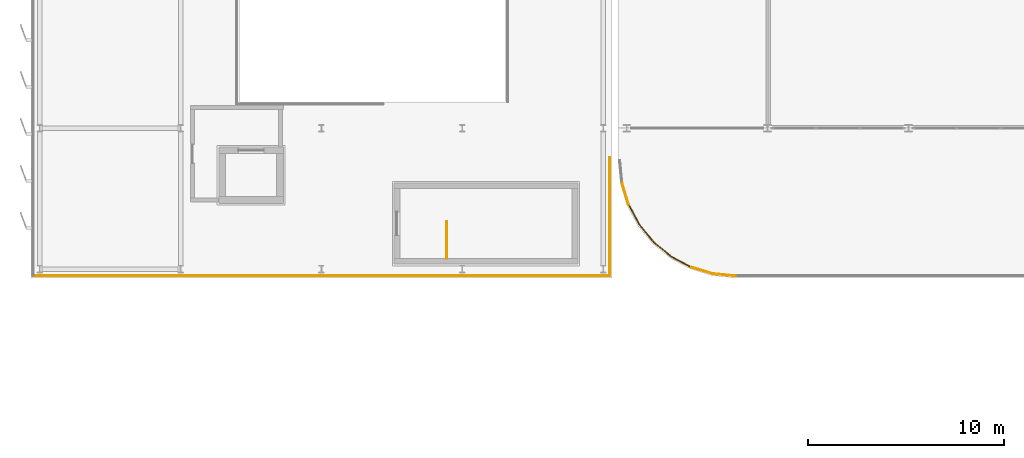
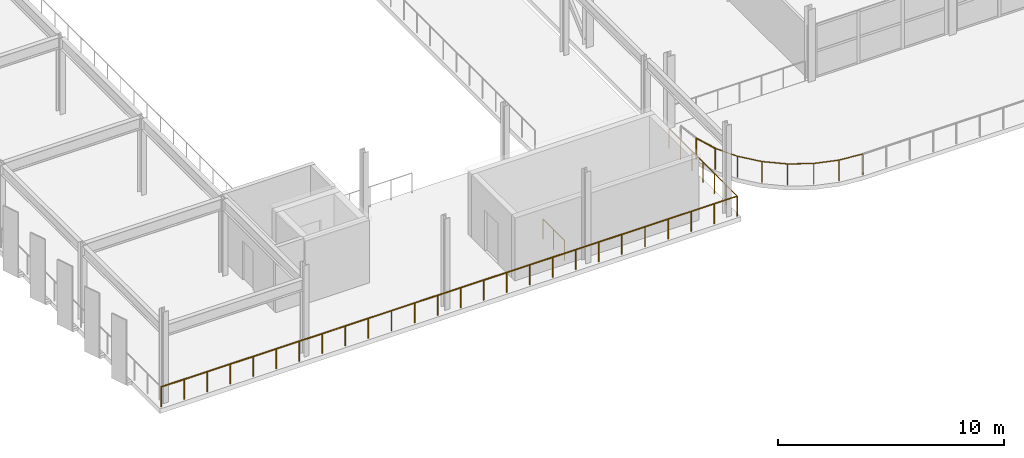
# One storey, part 34 of 40: 10 railings.
"""IFC4 building model written with IfcOpenShell, lengths in metres."""

from ifc_helpers import new_model, si_unit, direction, frame, origin, origin_2d, place, context, subcontext, project, spatial, circle, extrude, material, layer, layer_set, type_object, element, save


model = new_model("IFC4")

# Units and contexts
model_context = context("Model", 3, precision=1e-05, world=origin(), true_north=direction((0.0, 1.0)))
body_context = subcontext(model_context, "Body", "Model", "MODEL_VIEW")
ifc_project = project(units=[si_unit("LENGTHUNIT", "METRE"), si_unit("AREAUNIT", "SQUARE_METRE"), si_unit("VOLUMEUNIT", "CUBIC_METRE"), si_unit("PLANEANGLEUNIT", "RADIAN"), si_unit("MASSUNIT", "GRAM", prefix="KILO")], contexts=[model_context])

# Site, building, storey
site_placement = place(None, origin())
site = spatial("IfcSite", under=ifc_project, at=site_placement, CompositionType="ELEMENT")
building_placement = place(site_placement, origin())
building = spatial("IfcBuilding", under=site, at=building_placement, Name="Vaelcorin Mobility Hub", CompositionType="ELEMENT")
storey_placement = place(building_placement, frame((0.0, 0.0, 17.10009765625)))
storey = spatial("IfcBuildingStorey", under=building, at=storey_placement, Name="L04", CompositionType="ELEMENT", Elevation=17.10009765625)

# Railings
ifc_material_1 = material(Name="Galvanised structural steel ASTM A36", Category="steel")
ifc_layer_1 = layer(ifc_material_1, 0.070068359375)
ifc_layer_set_1 = layer_set([ifc_layer_1], Name="Galvanised structural steel ASTM A36")
railing_type_1 = type_object("IfcRailingType", Name="RL-GUARD-1100", PredefinedType="BALUSTRADE", material=ifc_layer_set_1)
railing_1_placement = place(storey_placement, frame((35.1298828125, 82.5, 0.0)))
element("IfcRailing", 1, at=railing_1_placement, inside=storey, type_object=railing_type_1, Name="L04 Perimeter Guard GR-V2W-L04-01", PredefinedType="BALUSTRADE", context=body_context, shape_type="SweptSolid", body=[
    extrude(circle(Radius=0.02392578125, at=origin_2d()), frame((0.0, 0.0, 1.076171875), z_axis=(0.0, -1.0, 0.0), x_axis=(1.0, 0.0, 0.0)), (0.0, 0.0, 1.0), 6.030029296875),
    extrude(circle(Radius=0.02099609375, at=origin_2d()), origin(), (0.0, 0.0, 1.0), 1.052001953125),
    extrude(circle(Radius=0.02099609375, at=origin_2d()), frame((0.0, -1.0048828125, 0.0)), (0.0, 0.0, 1.0), 1.052001953125),
    extrude(circle(Radius=0.02099609375, at=origin_2d()), frame((0.0, -2.010009765625, 0.0)), (0.0, 0.0, 1.0), 1.052001953125),
    extrude(circle(Radius=0.02099609375, at=origin_2d()), frame((0.0, -3.01513671875, 0.0)), (0.0, 0.0, 1.0), 1.052001953125),
    extrude(circle(Radius=0.02099609375, at=origin_2d()), frame((0.0, -4.02001953125, 0.0)), (0.0, 0.0, 1.0), 1.052001953125),
    extrude(circle(Radius=0.02099609375, at=origin_2d()), frame((0.0, -5.02490234375, 0.0)), (0.0, 0.0, 1.0), 1.052001953125),
    extrude(circle(Radius=0.02099609375, at=origin_2d()), frame((0.0, -6.030029296875, 0.0)), (0.0, 0.0, 1.0), 1.052001953125),
])
railing_2_placement = place(storey_placement, frame((35.1298828125, 76.469970703125, 0.0)))
element("IfcRailing", 2, at=railing_2_placement, inside=storey, type_object=railing_type_1, Name="L04 Perimeter Guard GR-V2W-L04-02", PredefinedType="BALUSTRADE", context=body_context, shape_type="SweptSolid", body=[
    extrude(circle(Radius=0.02392578125, at=origin_2d()), frame((0.0, 0.0, 1.076171875), z_axis=(-1.0, 0.0, 0.0), x_axis=(0.0, -1.0, 0.0)), (0.0, 0.0, 1.0), 29.4599609375),
    extrude(circle(Radius=0.02099609375, at=origin_2d()), origin(), (0.0, 0.0, 1.0), 1.052001953125),
    extrude(circle(Radius=0.02099609375, at=origin_2d()), frame((-1.178466796875, 0.0, 0.0)), (0.0, 0.0, 1.0), 1.052001953125),
    extrude(circle(Radius=0.02099609375, at=origin_2d()), frame((-2.356689453125, 0.0, 0.0)), (0.0, 0.0, 1.0), 1.052001953125),
    extrude(circle(Radius=0.02099609375, at=origin_2d()), frame((-3.53515625, 0.0, 0.0)), (0.0, 0.0, 1.0), 1.052001953125),
    extrude(circle(Radius=0.02099609375, at=origin_2d()), frame((-4.713623046875, 0.0, 0.0)), (0.0, 0.0, 1.0), 1.052001953125),
    extrude(circle(Radius=0.02099609375, at=origin_2d()), frame((-5.89208984375, 0.0, 0.0)), (0.0, 0.0, 1.0), 1.052001953125),
    extrude(circle(Radius=0.02099609375, at=origin_2d()), frame((-7.0703125, 0.0, 0.0)), (0.0, 0.0, 1.0), 1.052001953125),
    extrude(circle(Radius=0.02099609375, at=origin_2d()), frame((-8.248779296875, 0.0, 0.0)), (0.0, 0.0, 1.0), 1.052001953125),
    extrude(circle(Radius=0.02099609375, at=origin_2d()), frame((-9.42724609375, 0.0, 0.0)), (0.0, 0.0, 1.0), 1.052001953125),
    extrude(circle(Radius=0.02099609375, at=origin_2d()), frame((-10.60546875, 0.0, 0.0)), (0.0, 0.0, 1.0), 1.052001953125),
    extrude(circle(Radius=0.02099609375, at=origin_2d()), frame((-11.783935546875, 0.0, 0.0)), (0.0, 0.0, 1.0), 1.052001953125),
    extrude(circle(Radius=0.02099609375, at=origin_2d()), frame((-12.96240234375, 0.0, 0.0)), (0.0, 0.0, 1.0), 1.052001953125),
    extrude(circle(Radius=0.02099609375, at=origin_2d()), frame((-14.140869140625, 0.0, 0.0)), (0.0, 0.0, 1.0), 1.052001953125),
    extrude(circle(Radius=0.02099609375, at=origin_2d()), frame((-15.319091796875, 0.0, 0.0)), (0.0, 0.0, 1.0), 1.052001953125),
    extrude(circle(Radius=0.02099609375, at=origin_2d()), frame((-16.49755859375, 0.0, 0.0)), (0.0, 0.0, 1.0), 1.052001953125),
    extrude(circle(Radius=0.02099609375, at=origin_2d()), frame((-17.676025390625, 0.0, 0.0)), (0.0, 0.0, 1.0), 1.052001953125),
    extrude(circle(Radius=0.02099609375, at=origin_2d()), frame((-18.8544921875, 0.0, 0.0)), (0.0, 0.0, 1.0), 1.052001953125),
    extrude(circle(Radius=0.02099609375, at=origin_2d()), frame((-20.03271484375, 0.0, 0.0)), (0.0, 0.0, 1.0), 1.052001953125),
    extrude(circle(Radius=0.02099609375, at=origin_2d()), frame((-21.211181640625, 0.0, 0.0)), (0.0, 0.0, 1.0), 1.052001953125),
    extrude(circle(Radius=0.02099609375, at=origin_2d()), frame((-22.3896484375, 0.0, 0.0)), (0.0, 0.0, 1.0), 1.052001953125),
    extrude(circle(Radius=0.02099609375, at=origin_2d()), frame((-23.56787109375, 0.0, 0.0)), (0.0, 0.0, 1.0), 1.052001953125),
    extrude(circle(Radius=0.02099609375, at=origin_2d()), frame((-24.746337890625, 0.0, 0.0)), (0.0, 0.0, 1.0), 1.052001953125),
    extrude(circle(Radius=0.02099609375, at=origin_2d()), frame((-25.9248046875, 0.0, 0.0)), (0.0, 0.0, 1.0), 1.052001953125),
    extrude(circle(Radius=0.02099609375, at=origin_2d()), frame((-27.103271484375, 0.0, 0.0)), (0.0, 0.0, 1.0), 1.052001953125),
    extrude(circle(Radius=0.02099609375, at=origin_2d()), frame((-28.281494140625, 0.0, 0.0)), (0.0, 0.0, 1.0), 1.052001953125),
    extrude(circle(Radius=0.02099609375, at=origin_2d()), frame((-29.4599609375, 0.0, 0.0)), (0.0, 0.0, 1.0), 1.052001953125),
])
ifc_material_2 = material(Name="Anodised aluminium 6063-T6", Category="aluminium")
ifc_layer_2 = layer(ifc_material_2, 0.070068359375)
ifc_layer_set_2 = layer_set([ifc_layer_2], Name="Anodised aluminium 6063-T6")
railing_type_2 = type_object("IfcRailingType", Name="RL-GUARD-1150", PredefinedType="BALUSTRADE", material=ifc_layer_set_2)
railing_3_placement = place(storey_placement, frame((35.762939453125, 81.198974609375, 0.0)))
element("IfcRailing", 3, at=railing_3_placement, inside=storey, type_object=railing_type_2, Name="L04 Perimeter Guard GR-L04-VERANDA-02", PredefinedType="BALUSTRADE", context=body_context, shape_type="SweptSolid", body=[
    extrude(circle(Radius=0.02392578125, at=origin_2d()), frame((0.0, 0.0, 1.1259765625), z_axis=(0.290598919919, -0.956844954913, 0.0), x_axis=(0.956844954913, 0.290598919919, 0.0)), (0.0, 0.0, 1.0), 1.15673828125),
    extrude(circle(Radius=0.02099609375, at=origin_2d()), origin(), (0.0, 0.0, 1.0), 1.101806640625),
    extrude(circle(Radius=0.02099609375, at=origin_2d()), frame((0.336181640625, -1.10693359375, 0.0)), (0.0, 0.0, 1.0), 1.101806640625),
])
railing_4_placement = place(storey_placement, frame((36.09912109375, 80.092041015625, 0.0)))
element("IfcRailing", 4, at=railing_4_placement, inside=storey, type_object=railing_type_2, Name="L04 Perimeter Guard GR-L04-VERANDA-03", PredefinedType="BALUSTRADE", context=body_context, shape_type="SweptSolid", body=[
    extrude(circle(Radius=0.02392578125, at=origin_2d()), frame((0.0, 0.0, 1.1259765625), z_axis=(0.471201733909, -0.882025467864, 0.0), x_axis=(0.882025467864, 0.471201733909, 0.0)), (0.0, 0.0, 1.0), 1.156494140625),
    extrude(circle(Radius=0.02099609375, at=origin_2d()), origin(), (0.0, 0.0, 1.0), 1.101806640625),
    extrude(circle(Radius=0.02099609375, at=origin_2d()), frame((0.544921875, -1.02001953125, 0.0)), (0.0, 0.0, 1.0), 1.101806640625),
])
railing_5_placement = place(storey_placement, frame((36.64404296875, 79.072021484375, 0.0)))
element("IfcRailing", 5, at=railing_5_placement, inside=storey, type_object=railing_type_2, Name="L04 Perimeter Guard GR-L04-VERANDA-04", PredefinedType="BALUSTRADE", context=body_context, shape_type="SweptSolid", body=[
    extrude(circle(Radius=0.02392578125, at=origin_2d()), frame((0.0, 0.0, 1.1259765625), z_axis=(0.634478321859, -0.772940656902, 0.0), x_axis=(0.772940656902, 0.634478321859, 0.0)), (0.0, 0.0, 1.0), 1.15673828125),
    extrude(circle(Radius=0.02099609375, at=origin_2d()), origin(), (0.0, 0.0, 1.0), 1.101806640625),
    extrude(circle(Radius=0.02099609375, at=origin_2d()), frame((0.73388671875, -0.89404296875, 0.0)), (0.0, 0.0, 1.0), 1.101806640625),
])
railing_6_placement = place(storey_placement, frame((37.3779296875, 78.177978515625, 0.0)))
element("IfcRailing", 6, at=railing_6_placement, inside=storey, type_object=railing_type_2, Name="L04 Perimeter Guard GR-L04-VERANDA-05", PredefinedType="BALUSTRADE", context=body_context, shape_type="SweptSolid", body=[
    extrude(circle(Radius=0.02392578125, at=origin_2d()), frame((0.0, 0.0, 1.1259765625), z_axis=(0.772940656902, -0.634478321859, 0.0), x_axis=(0.634478321859, 0.772940656902, 0.0)), (0.0, 0.0, 1.0), 1.15673828125),
    extrude(circle(Radius=0.02099609375, at=origin_2d()), origin(), (0.0, 0.0, 1.0), 1.101806640625),
    extrude(circle(Radius=0.02099609375, at=origin_2d()), frame((0.89404296875, -0.73388671875, 0.0)), (0.0, 0.0, 1.0), 1.101806640625),
])
railing_7_placement = place(storey_placement, frame((38.27197265625, 77.444091796875, 0.0)))
element("IfcRailing", 7, at=railing_7_placement, inside=storey, type_object=railing_type_2, Name="L04 Perimeter Guard GR-L04-VERANDA-06", PredefinedType="BALUSTRADE", context=body_context, shape_type="SweptSolid", body=[
    extrude(circle(Radius=0.02392578125, at=origin_2d()), frame((0.0, 0.0, 1.1259765625), z_axis=(0.881937720686, -0.471365947892, 0.0), x_axis=(0.471365947892, 0.881937720686, 0.0)), (0.0, 0.0, 1.0), 1.156494140625),
    extrude(circle(Radius=0.02099609375, at=origin_2d()), origin(), (0.0, 0.0, 1.0), 1.101806640625),
    extrude(circle(Radius=0.02099609375, at=origin_2d()), frame((1.02001953125, -0.545166015625, 0.0)), (0.0, 0.0, 1.0), 1.101806640625),
])
railing_8_placement = place(storey_placement, frame((39.2919921875, 76.89892578125, 0.0)))
element("IfcRailing", 8, at=railing_8_placement, inside=storey, type_object=railing_type_2, Name="L04 Perimeter Guard GR-L04-VERANDA-07", PredefinedType="BALUSTRADE", context=body_context, shape_type="SweptSolid", body=[
    extrude(circle(Radius=0.02392578125, at=origin_2d()), frame((0.0, 0.0, 1.1259765625), z_axis=(0.956903619745, -0.290405686098, 0.0), x_axis=(0.290405686098, 0.956903619745, 0.0)), (0.0, 0.0, 1.0), 1.15673828125),
    extrude(circle(Radius=0.02099609375, at=origin_2d()), origin(), (0.0, 0.0, 1.0), 1.101806640625),
    extrude(circle(Radius=0.02099609375, at=origin_2d()), frame((1.10693359375, -0.3359375, 0.0)), (0.0, 0.0, 1.0), 1.101806640625),
])
railing_9_placement = place(storey_placement, frame((40.39892578125, 76.56298828125, 0.0)))
element("IfcRailing", 9, at=railing_9_placement, inside=storey, type_object=railing_type_2, Name="L04 Perimeter Guard GR-L04-VERANDA-08", PredefinedType="BALUSTRADE", context=body_context, shape_type="SweptSolid", body=[
    extrude(circle(Radius=0.02392578125, at=origin_2d()), frame((0.0, 0.0, 1.1259765625), z_axis=(0.99521324102, -0.097727196308, 0.0), x_axis=(0.097727196308, 0.99521324102, 0.0)), (0.0, 0.0, 1.0), 1.15673828125),
    extrude(circle(Radius=0.02099609375, at=origin_2d()), origin(), (0.0, 0.0, 1.0), 1.101806640625),
    extrude(circle(Radius=0.02099609375, at=origin_2d()), frame((1.151123046875, -0.113037109375, 0.0)), (0.0, 0.0, 1.0), 1.101806640625),
])
ifc_material_3 = material(Name="Brushed stainless steel 316L", Category="steel")
ifc_layer_3 = layer(ifc_material_3, 0.048095703125)
ifc_layer_set_3 = layer_set([ifc_layer_3], Name="Brushed stainless steel 316L")
railing_type_3 = type_object("IfcRailingType", Name="RL-STAIR-GRD", PredefinedType="GUARDRAIL", material=ifc_layer_set_3)
railing_10_placement = place(storey_placement, frame((26.800048828125, 77.35009765625, 0.0)))
element("IfcRailing", 10, at=railing_10_placement, inside=storey, type_object=railing_type_3, Name="L04 ST1 top well guard 1", PredefinedType="GUARDRAIL", context=body_context, shape_type="SweptSolid", body=[
    extrude(circle(Radius=0.02392578125, at=origin_2d()), frame((0.0, 0.0, 1.076171875), z_axis=(0.0, 1.0, 0.0), x_axis=(-1.0, 0.0, 0.0)), (0.0, 0.0, 1.0), 1.8798828125),
    extrude(circle(Radius=0.02099609375, at=origin_2d()), origin(), (0.0, 0.0, 1.0), 1.052001953125),
    extrude(circle(Radius=0.02099609375, at=origin_2d()), frame((0.0, 0.93994140625, 0.0)), (0.0, 0.0, 1.0), 1.052001953125),
    extrude(circle(Radius=0.02099609375, at=origin_2d()), frame((0.0, 1.8798828125, 0.0)), (0.0, 0.0, 1.0), 1.052001953125),
])

save(model, "model.ifc")
